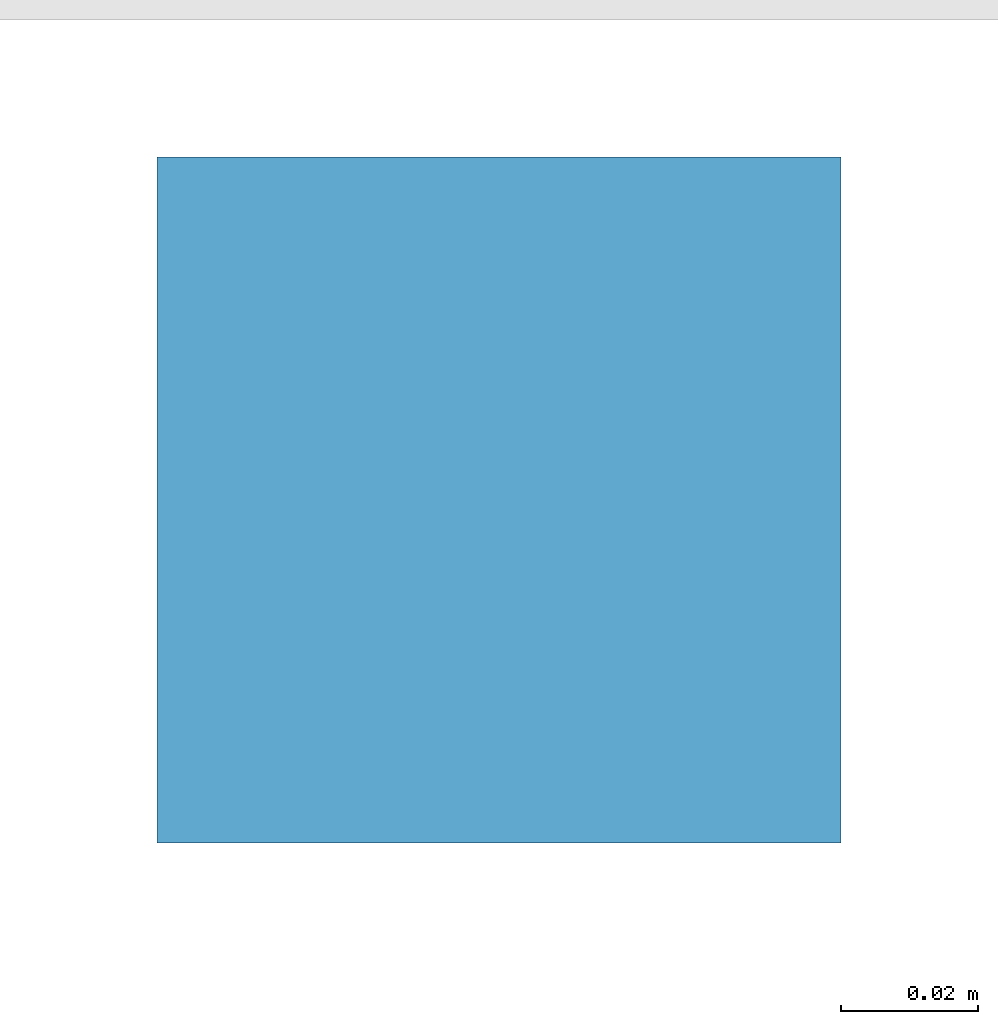
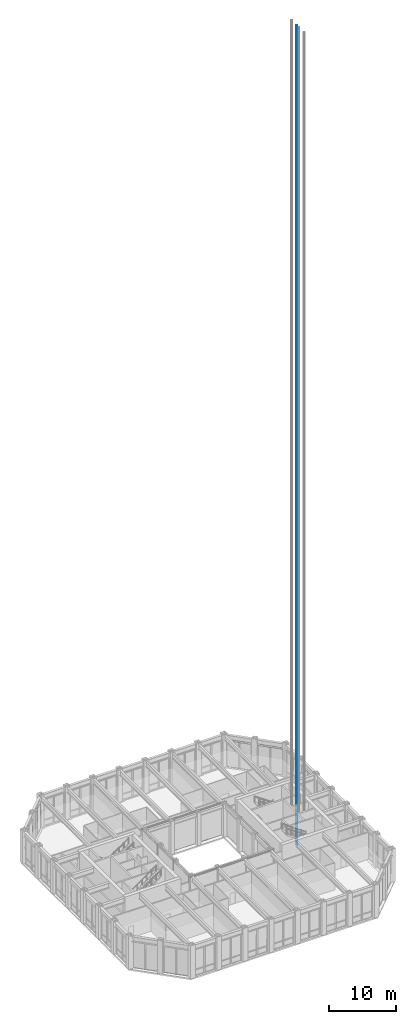
# One storey, part 18 of 22: 1 discrete accessory.
"""IFC4 building model written with IfcOpenShell, lengths in metres."""

from ifc_helpers import new_model, si_unit, direction, frame, origin, place, context, subcontext, project, spatial, polyline, outline, extrude, element, save


model = new_model("IFC4")

# Units and contexts
model_context = context("Model", 3, precision=1e-05, world=origin(), true_north=direction((0.0, 1.0)))
body_context = subcontext(model_context, "Body", "Model", "MODEL_VIEW")
ifc_project = project(units=[si_unit("LENGTHUNIT", "METRE"), si_unit("AREAUNIT", "SQUARE_METRE"), si_unit("VOLUMEUNIT", "CUBIC_METRE"), si_unit("PLANEANGLEUNIT", "RADIAN"), si_unit("MASSUNIT", "GRAM", prefix="KILO")], contexts=[model_context])

# Site, building, storey
site_placement = place(None, origin())
site = spatial("IfcSite", under=ifc_project, at=site_placement, CompositionType="ELEMENT")
building_placement = place(site_placement, origin())
building = spatial("IfcBuilding", under=site, at=building_placement, Name="Msasa Ring Tower", CompositionType="ELEMENT")
storey_placement = place(building_placement, frame((0.0, 0.0, 112.39990234375)))
storey = spatial("IfcBuildingStorey", under=building, at=storey_placement, Name="L29", CompositionType="ELEMENT", Elevation=112.39990234375)

# Discrete accessory
discrete_accessory_placement = place(storey_placement, frame((0.0, 0.0, -1.5)))
element("IfcDiscreteAccessory", 1, at=discrete_accessory_placement, inside=storey, Name="Lift guide rail 1 PL-H2", ObjectType="LIFT GUIDE RAIL", PredefinedType="USERDEFINED", context=body_context, shape_type="SweptSolid", body=[
    extrude(outline(polyline([(15.97509765625, 1.22998046875), (16.074951171875, 1.22998046875), (16.074951171875, 1.330078125), (15.97509765625, 1.330078125), (15.97509765625, 1.22998046875)])), origin(), (0.0, 0.0, 1.0), 148.60009765625),
])

save(model, "model.ifc")
